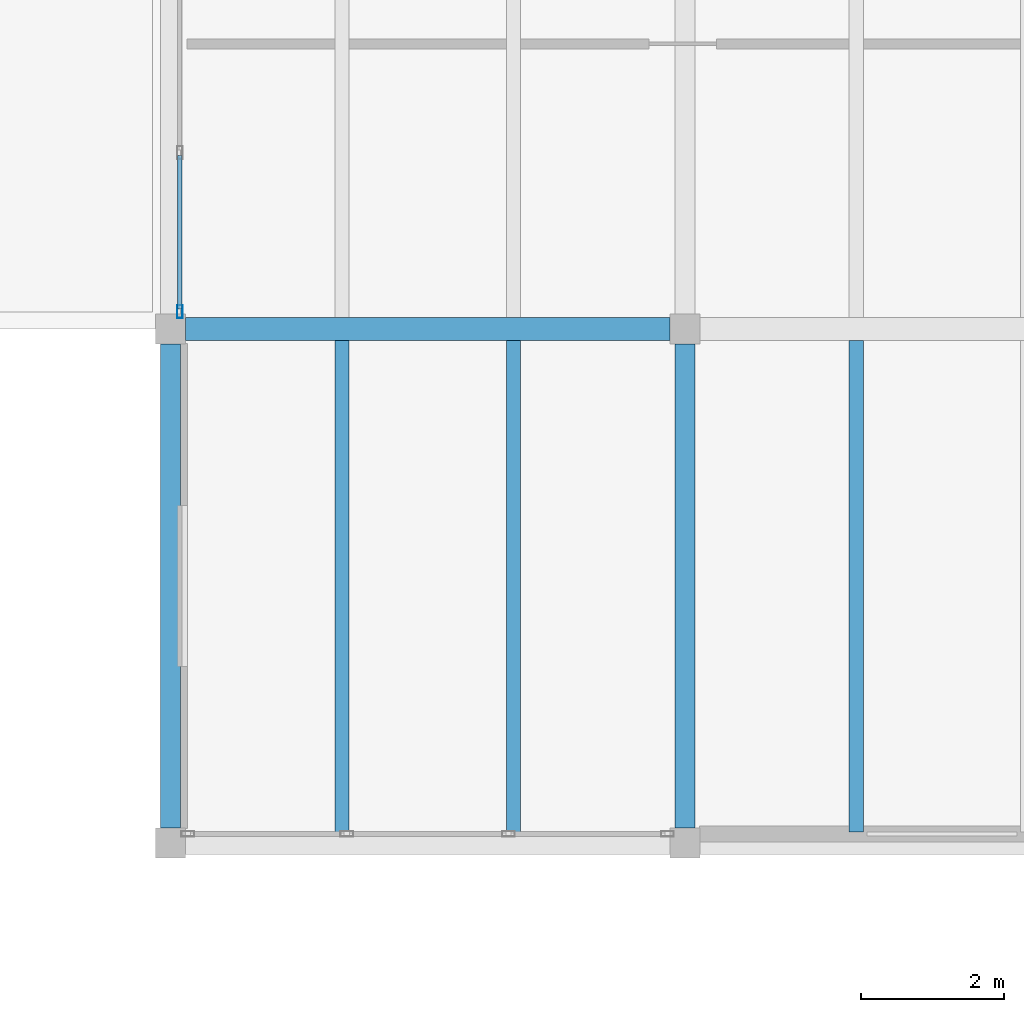
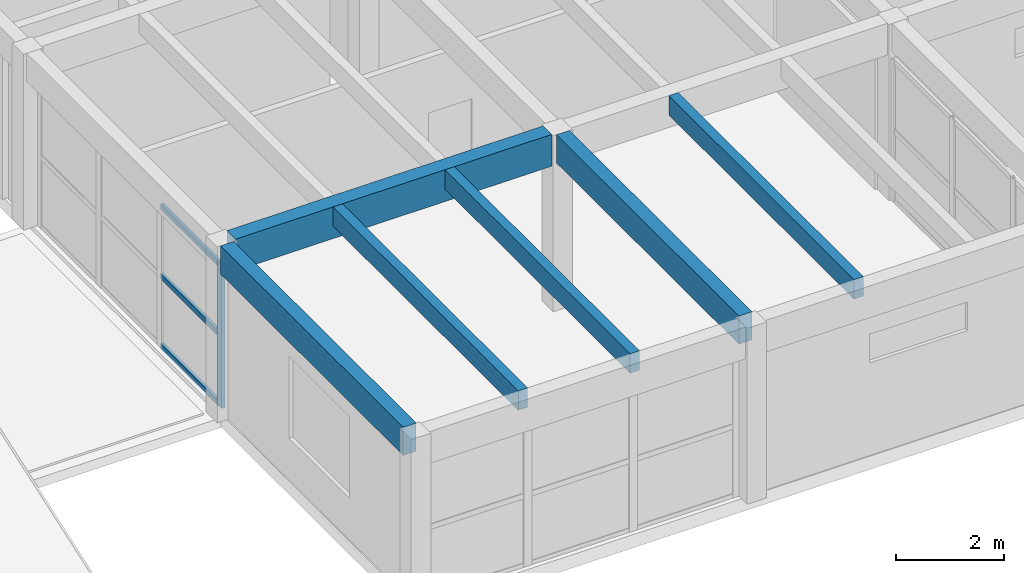
# One storey, part 19 of 68: 6 beams, 4 members, 1 element without a shape of its own.
"""IFC4 building model written with IfcOpenShell, lengths in metres."""

from ifc_helpers import new_model, si_unit, direction, frame, origin, origin_2d, place, context, subcontext, project, spatial, rectangle, hollow_rectangle, extrude, material, material_profile, profile_set, type_object, element, aggregate, save


model = new_model("IFC4")

# Units and contexts
model_context = context("Model", 3, precision=1e-05, world=origin(), true_north=direction((0.0, 1.0)))
body_context = subcontext(model_context, "Body", "Model", "MODEL_VIEW")
ifc_project = project(units=[si_unit("LENGTHUNIT", "METRE"), si_unit("AREAUNIT", "SQUARE_METRE"), si_unit("VOLUMEUNIT", "CUBIC_METRE"), si_unit("PLANEANGLEUNIT", "RADIAN"), si_unit("MASSUNIT", "GRAM", prefix="KILO")], contexts=[model_context])

# Site, building, storey
site_placement = place(None, origin())
site = spatial("IfcSite", under=ifc_project, at=site_placement, CompositionType="ELEMENT")
building_placement = place(site_placement, origin())
building = spatial("IfcBuilding", under=site, at=building_placement, Name="Bramvelor Terrace Health Centre", CompositionType="ELEMENT")
storey_placement = place(building_placement, frame((0.0, 0.0, 9.300048828125)))
storey = spatial("IfcBuildingStorey", under=building, at=storey_placement, Name="L03", CompositionType="ELEMENT", Elevation=9.300048828125)

# Beams
ifc_material_1 = material(Name="Glulam GL28h", Category="wood")
ifc_material_profile_1 = material_profile(ifc_material_1, rectangle(XDim=0.280029296875, YDim=0.639892578125, at=origin_2d()), Name="GL 280x640")
ifc_profile_set_1 = profile_set([ifc_material_profile_1], Name="Glulam GL28h")
beam_type_1 = type_object("IfcBeamType", Name="BM-GL-G640", PredefinedType="BEAM", material=ifc_profile_set_1)
for number, where, z_axis, x_axis, name in (
    (1, (100.800048828125, 43.409912109375, 3.669921875), (0.0, 1.0, 0.0), (-1.0, 0.0, 0.0), "L03 Floor Girder"),
    (2, (108.0, 43.409912109375, 3.669921875), (0.0, 1.0, 0.0), (-1.0, 0.0, 0.0), "L03 Floor Girder"),
):
    element("IfcBeam", number, at=place(storey_placement, frame(where, z_axis=z_axis, x_axis=x_axis)), inside=storey, type_object=beam_type_1, Name=name, PredefinedType="BEAM", context=body_context, shape_type="SweptSolid", body=[
        extrude(rectangle(XDim=0.280029296875, YDim=0.639892578125, at=origin_2d()), origin(), (0.0, 0.0, 1.0), 6.780029296875),
    ])
ifc_material_2 = material(Name="Glulam GL28h", Category="wood")
ifc_material_profile_2 = material_profile(ifc_material_2, rectangle(XDim=0.320068359375, YDim=0.719970703125, at=origin_2d()), Name="GL 320x720")
ifc_profile_set_2 = profile_set([ifc_material_profile_2], Name="Glulam GL28h")
beam_type_2 = type_object("IfcBeamType", Name="BM-GL-G720", PredefinedType="BEAM", material=ifc_profile_set_2)
beam_placement = place(storey_placement, frame((101.010009765625, 50.39990234375, 3.6298828125), z_axis=(1.0, 0.0, 0.0), x_axis=(0.0, 1.0, 0.0)))
element("IfcBeam", 3, at=beam_placement, inside=storey, type_object=beam_type_2, Name="L03 Floor Girder", PredefinedType="BEAM", context=body_context, shape_type="SweptSolid", body=[
    extrude(rectangle(XDim=0.320068359375, YDim=0.719970703125, at=origin_2d()), origin(), (0.0, 0.0, 1.0), 6.780029296875),
])
ifc_material_3 = material(Name="Glulam GL28h", Category="wood")
ifc_material_profile_3 = material_profile(ifc_material_3, rectangle(XDim=0.199951171875, YDim=0.43994140625, at=origin_2d()), Name="GL 200x440")
ifc_profile_set_3 = profile_set([ifc_material_profile_3], Name="Glulam GL28h")
beam_type_3 = type_object("IfcBeamType", Name="BM-GL-J440", PredefinedType="JOIST", material=ifc_profile_set_3)
for number, where, z_axis, x_axis, name in (
    (4, (103.199951171875, 43.360107421875, 3.77001953125), (0.0, 1.0, 0.0), (-1.0, 0.0, 0.0), "L03 Secondary Floor Joist"),
    (5, (105.60009765625, 43.360107421875, 3.77001953125), (0.0, 1.0, 0.0), (-1.0, 0.0, 0.0), "L03 Secondary Floor Joist"),
    (6, (110.39990234375, 43.360107421875, 3.77001953125), (0.0, 1.0, 0.0), (-1.0, 0.0, 0.0), "L03 Secondary Floor Joist"),
):
    element("IfcBeam", number, at=place(storey_placement, frame(where, z_axis=z_axis, x_axis=x_axis)), inside=storey, type_object=beam_type_3, Name=name, PredefinedType="JOIST", context=body_context, shape_type="SweptSolid", body=[
        extrude(rectangle(XDim=0.199951171875, YDim=0.43994140625, at=origin_2d()), origin(), (0.0, 0.0, 1.0), 6.8798828125),
    ])

# Curtain wall, members
ifc_material_4 = material(Name="Anodized aluminium and double low-E glass", Category="aluminium")
curtain_wall_type = type_object("IfcCurtainWallType", Name="CW-SYS-27", PredefinedType="NOTDEFINED", material=ifc_material_4)
curtain_wall_placement = place(storey_placement, origin())
curtain_wall = element("IfcCurtainWall", 7, at=curtain_wall_placement, inside=storey, type_object=curtain_wall_type, Name="L03 Unitized Curtain Wall 161", PredefinedType="NOTDEFINED")
ifc_material_5 = material(Name="Anodized aluminium 6063-T6", Category="aluminium")
ifc_material_profile_4 = material_profile(ifc_material_5, hollow_rectangle(XDim=0.074951171875, YDim=0.179931640625, WallThickness=0.00341796875, at=origin_2d()), Name="ALU-MUL 75x180x3.5")
ifc_profile_set_4 = profile_set([ifc_material_profile_4], Name="Anodized aluminium 6063-T6")
member_type_1 = type_object("IfcMemberType", Name="CW-MUL-65x180", PredefinedType="MULLION", material=ifc_profile_set_4)
member_1_placement = place(storey_placement, frame((100.929931640625, 50.642578125, 0.0), z_axis=(0.0, 0.0, 1.0), x_axis=(-1.0, 0.0, 0.0)))
member_1 = element("IfcMember", 8, at=member_1_placement, type_object=member_type_1, Name="CW-27 mullion 1", PredefinedType="MULLION", context=body_context, shape_type="SweptSolid", body=[
    extrude(hollow_rectangle(XDim=0.074951171875, YDim=0.179931640625, WallThickness=0.00341796875, at=origin_2d()), origin(), (0.0, 0.0, 1.0), 3.22998046875),
])
ifc_material_6 = material(Name="Anodized aluminium 6063-T6", Category="aluminium")
ifc_material_profile_5 = material_profile(ifc_material_6, hollow_rectangle(XDim=0.06494140625, YDim=0.1201171875, WallThickness=0.0029296875, at=origin_2d()), Name="ALU-TRN 65x120x3.0")
ifc_profile_set_5 = profile_set([ifc_material_profile_5], Name="Anodized aluminium 6063-T6")
member_type_2 = type_object("IfcMemberType", Name="CW-TRN-65x150", PredefinedType="USERDEFINED", material=ifc_profile_set_5)
member_2_placement = place(storey_placement, frame((100.929931640625, 50.679931640625, 0.032470703125), z_axis=(0.0, 1.0, 0.0), x_axis=(-1.0, 0.0, 0.0)))
member_2 = element("IfcMember", 9, at=member_2_placement, type_object=member_type_2, Name="CW-27 transom 1.1", ObjectType="TRANSOM", PredefinedType="USERDEFINED", context=body_context, shape_type="SweptSolid", body=[
    extrude(hollow_rectangle(XDim=0.06494140625, YDim=0.1201171875, WallThickness=0.0029296875, at=origin_2d()), origin(), (0.0, 0.0, 1.0), 2.15087890625),
])
member_3_placement = place(storey_placement, frame((100.929931640625, 50.679931640625, 1.614990234375), z_axis=(0.0, 1.0, 0.0), x_axis=(-1.0, 0.0, 0.0)))
member_3 = element("IfcMember", 10, at=member_3_placement, type_object=member_type_2, Name="CW-27 transom 1.2", ObjectType="TRANSOM", PredefinedType="USERDEFINED", context=body_context, shape_type="SweptSolid", body=[
    extrude(hollow_rectangle(XDim=0.06494140625, YDim=0.1201171875, WallThickness=0.0029296875, at=origin_2d()), origin(), (0.0, 0.0, 1.0), 2.15087890625),
])
member_4_placement = place(storey_placement, frame((100.929931640625, 50.679931640625, 3.197509765625), z_axis=(0.0, 1.0, 0.0), x_axis=(-1.0, 0.0, 0.0)))
member_4 = element("IfcMember", 11, at=member_4_placement, type_object=member_type_2, Name="CW-27 transom 1.3", ObjectType="TRANSOM", PredefinedType="USERDEFINED", context=body_context, shape_type="SweptSolid", body=[
    extrude(hollow_rectangle(XDim=0.06494140625, YDim=0.1201171875, WallThickness=0.0029296875, at=origin_2d()), origin(), (0.0, 0.0, 1.0), 2.15087890625),
])
aggregate(curtain_wall, [member_1, member_2, member_3, member_4])

save(model, "model.ifc")
